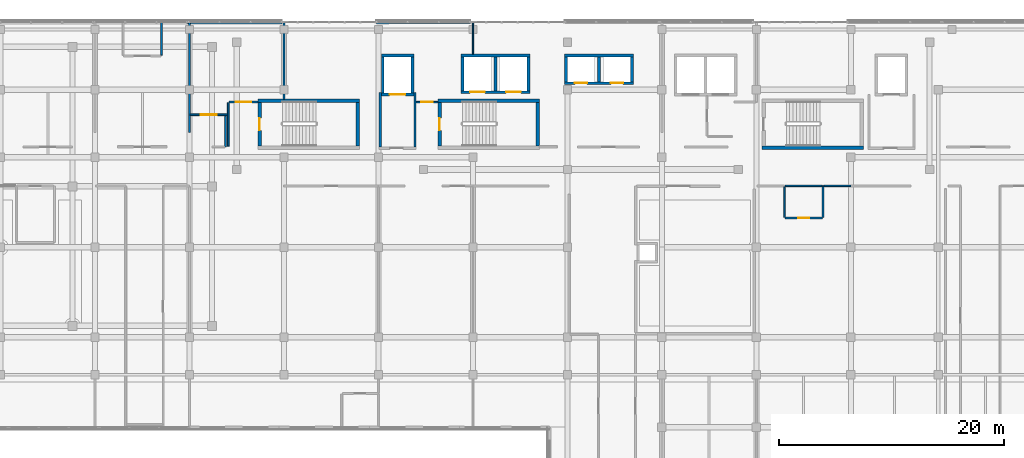
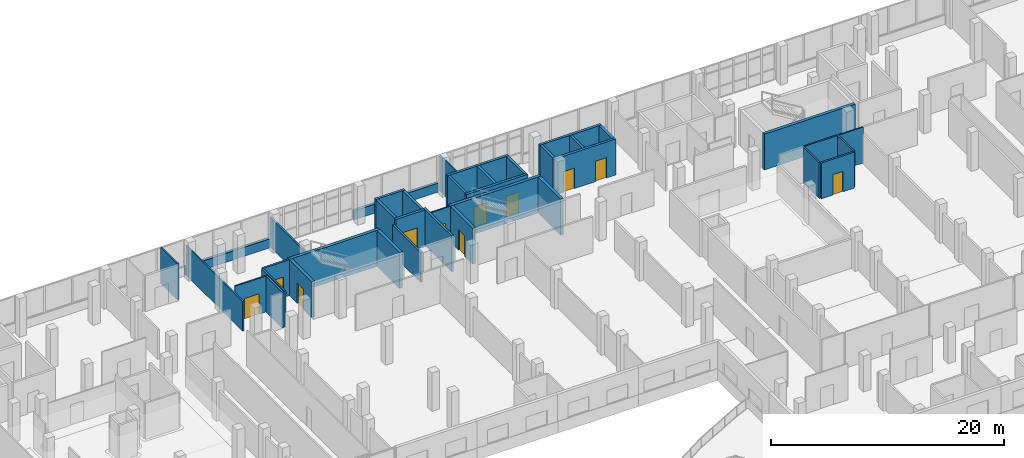
# One storey, part 88 of 101: 39 walls, 11 doors, 11 openings.
"""IFC4 building model written with IfcOpenShell, lengths in metres."""

from ifc_helpers import new_model, si_unit, direction, frame, frame_2d, origin, place, context, subcontext, project, spatial, rectangle, extrude, material, layer, layer_set, type_object, element, fill, save


model = new_model("IFC4")

# Units and contexts
model_context = context("Model", 3, precision=1e-05, world=origin(), true_north=direction((0.0, 1.0)))
body_context = subcontext(model_context, "Body", "Model", "MODEL_VIEW")
ifc_project = project(units=[si_unit("LENGTHUNIT", "METRE"), si_unit("AREAUNIT", "SQUARE_METRE"), si_unit("VOLUMEUNIT", "CUBIC_METRE"), si_unit("PLANEANGLEUNIT", "RADIAN"), si_unit("MASSUNIT", "GRAM", prefix="KILO")], contexts=[model_context])

# Site, building, storey
site_placement = place(None, origin())
site = spatial("IfcSite", under=ifc_project, at=site_placement, CompositionType="ELEMENT")
building_placement = place(site_placement, origin())
building = spatial("IfcBuilding", under=site, at=building_placement, Name="Selatvlak General Hospital", CompositionType="ELEMENT")
storey_placement = place(building_placement, frame((0.0, 0.0, 19.199951171875)))
storey = spatial("IfcBuildingStorey", under=building, at=storey_placement, Name="L04", CompositionType="ELEMENT", Elevation=19.199951171875)

# Walls
ifc_material_1 = material(Name="Precast concrete C40/50 - white Bauhaus spandrel", Category="concrete")
ifc_layer_1 = layer(ifc_material_1, 0.280029296875, Name="Precast concrete C40/50 - white Bauhaus spandrel", Category="concrete")
ifc_layer_set_1 = layer_set([ifc_layer_1], Name="Precast concrete C40/50 - white Bauhaus spandrel")
wall_type_1 = type_object("IfcWallType", Name="WALL-EW-02", PredefinedType="SOLIDWALL", material=ifc_layer_set_1)
wall_1_placement = place(storey_placement, frame((81.44189453125, 119.9990234375, 0.0), z_axis=(0.0, 0.0, 1.0), x_axis=(1.0, 0.0, 0.0)))
element("IfcWall", 1, at=wall_1_placement, inside=storey, type_object=wall_type_1, Name="L04 Bauhaus spandrel sill wall 0437", PredefinedType="SOLIDWALL", context=body_context, shape_type="SweptSolid", body=[
    extrude(rectangle(XDim=8.376220703125, YDim=0.280029296875, at=frame_2d((4.18798828125, 0.0))), origin(), (0.0, 0.0, 1.0), 0.93994140625),
])
wall_2_placement = place(storey_placement, frame((98.201904296875, 119.9990234375, 0.0), z_axis=(0.0, 0.0, 1.0), x_axis=(0.999999993202, 0.000116604477, 0.0)))
element("IfcWall", 2, at=wall_2_placement, inside=storey, type_object=wall_type_1, Name="L04 Bauhaus spandrel sill wall 0438", PredefinedType="SOLIDWALL", context=body_context, shape_type="SweptSolid", body=[
    extrude(rectangle(XDim=8.375, YDim=0.280029296875, at=frame_2d((4.1875, 0.0))), origin(), (0.0, 0.0, 1.0), 0.93994140625),
])
ifc_material_2 = material(Name="Concrete C40/50", Category="concrete")
ifc_layer_2 = layer(ifc_material_2, 0.199951171875, Name="Concrete C40/50", Category="concrete")
ifc_layer_set_2 = layer_set([ifc_layer_2], Name="Concrete C40/50")
wall_type_2 = type_object("IfcWallType", Name="WALL-IW-02", PredefinedType="SOLIDWALL", material=ifc_layer_set_2)
wall_3_placement = place(storey_placement, frame((101.64990234375, 108.89990234375, 0.0), z_axis=(0.0, 0.0, 1.0), x_axis=(0.0, 1.0, 0.0)))
element("IfcWall", 3, at=wall_3_placement, inside=storey, type_object=wall_type_2, Name="Firefighting lobby C2 wall L04 E", PredefinedType="SOLIDWALL", context=body_context, shape_type="SweptSolid", body=[
    extrude(rectangle(XDim=4.85009765625, YDim=0.199951171875, at=frame_2d((2.425048828125, 0.0))), origin(), (0.0, 0.0, 1.0), 3.77001953125),
])
wall_4_placement = place(storey_placement, frame((98.550048828125, 113.75, 0.0), z_axis=(0.0, 0.0, 1.0), x_axis=(0.0, -1.0, 0.0)))
element("IfcWall", 4, at=wall_4_placement, inside=storey, type_object=wall_type_2, Name="Firefighting lobby C2 wall L04 W", PredefinedType="SOLIDWALL", context=body_context, shape_type="SweptSolid", body=[
    extrude(rectangle(XDim=4.85009765625, YDim=0.199951171875, at=frame_2d((2.425048828125, 0.0))), origin(), (0.0, 0.0, 1.0), 3.1201171875),
])

# Wall, opening, door
ifc_material_3 = material(Name="Acoustic gypsum stud partition")
ifc_layer_3 = layer(ifc_material_3, 0.179931640625, Name="Acoustic gypsum stud partition")
ifc_layer_set_3 = layer_set([ifc_layer_3], Name="Acoustic gypsum stud partition")
wall_type_3 = type_object("IfcWallType", Name="WALL-PT-01", PredefinedType="PARTITIONING", material=ifc_layer_set_3)
wall_5_placement = place(storey_placement, frame((134.550048828125, 102.580078125, 0.0), z_axis=(0.0, 0.0, 1.0), x_axis=(1.0, 0.0, 0.0)))
wall_5 = element("IfcWall", 5, at=wall_5_placement, inside=storey, type_object=wall_type_3, Name="L04 clinical partition PT-L04-1752", PredefinedType="PARTITIONING", context=body_context, shape_type="SweptSolid", body=[
    extrude(rectangle(XDim=3.300048828125, YDim=0.179931640625, at=frame_2d((1.64990234375, 0.0))), origin(), (0.0, 0.0, 1.0), 3.77001953125),
])
opening_1_placement = place(wall_5_placement, frame((1.14990234375, 0.0, 0.0)))
opening_1 = element("IfcOpeningElement", 6, at=opening_1_placement, cuts=wall_5, Name="Opening D-21", PredefinedType="OPENING", context=body_context, shape_type="SweptSolid", body=[
    extrude(rectangle(XDim=1.0, YDim=2.14990234375, at=frame_2d((0.5, 1.074951171875))), frame((0.0, 0.099853515625, 0.0), z_axis=(0.0, -1.0, 0.0), x_axis=(1.0, 0.0, 0.0)), (0.0, 0.0, 1.0), 0.199951171875),
])
ifc_material_4 = material(Name="Laboratory fire door")
door_type_1 = type_object("IfcDoorType", Name="DOOR-D-21", OperationType="NOTDEFINED", PredefinedType="DOOR", material=ifc_material_4)
door_1_placement = place(opening_1_placement, origin())
door_1 = element("IfcDoor", 7, at=door_1_placement, inside=storey, type_object=door_type_1, Name="L04 Patient En-Suite WC 20 door", OperationType="SINGLE_SWING_LEFT", OverallHeight=2.14990234375, OverallWidth=1.0, PredefinedType="DOOR", context=body_context, shape_type="SweptSolid", body=[
    extrude(rectangle(XDim=1.0, YDim=2.14990234375, at=frame_2d((0.5, 1.074951171875))), frame((0.0, 0.02490234375, 0.0), z_axis=(0.0, -1.0, 0.0), x_axis=(1.0, 0.0, 0.0)), (0.0, 0.0, 1.0), 0.050048828125),
])
fill(opening_1, door_1)

wall_6_placement = place(storey_placement, frame((87.68994140625, 112.89990234375, 0.0), z_axis=(0.0, 0.0, 1.0), x_axis=(-1.0, 0.0, 0.0)))
wall_6 = element("IfcWall", 8, at=wall_6_placement, inside=storey, type_object=wall_type_3, Name="L04 clinical partition PT-L04-1806", PredefinedType="PARTITIONING", context=body_context, shape_type="SweptSolid", body=[
    extrude(rectangle(XDim=2.58984375, YDim=0.179931640625, at=frame_2d((1.294921875, 0.0))), origin(), (0.0, 0.0, 1.0), 3.77001953125),
])
opening_2_placement = place(wall_6_placement, frame((0.594970703125, 0.0, 0.0)))
opening_2 = element("IfcOpeningElement", 9, at=opening_2_placement, cuts=wall_6, Name="Opening D-11", PredefinedType="OPENING", context=body_context, shape_type="SweptSolid", body=[
    extrude(rectangle(XDim=1.39990234375, YDim=2.14990234375, at=frame_2d((0.699951171875, 1.074951171875))), frame((0.0, 0.099853515625, 0.0), z_axis=(0.0, -1.0, 0.0), x_axis=(1.0, 0.0, 0.0)), (0.0, 0.0, 1.0), 0.199951171875),
])
ifc_material_5 = material(Name="Inpatient suite bed door")
door_type_2 = type_object("IfcDoorType", Name="DOOR-D-11", OperationType="NOTDEFINED", PredefinedType="DOOR", material=ifc_material_5)
door_2_placement = place(opening_2_placement, origin())
door_2 = element("IfcDoor", 10, at=door_2_placement, inside=storey, type_object=door_type_2, Name="L04 Maternity Postnatal Patient Room 33 door", OperationType="SINGLE_SWING_LEFT", OverallHeight=2.14990234375, OverallWidth=1.39990234375, PredefinedType="DOOR", context=body_context, shape_type="SweptSolid", body=[
    extrude(rectangle(XDim=1.39990234375, YDim=2.14990234375, at=frame_2d((0.699951171875, 1.074951171875))), frame((0.0, 0.02490234375, 0.0), z_axis=(0.0, -1.0, 0.0), x_axis=(1.0, 0.0, 0.0)), (0.0, 0.0, 1.0), 0.050048828125),
])
fill(opening_2, door_2)

# Walls
wall_7_placement = place(storey_placement, frame((90.0, 119.988037109375, 0.0), z_axis=(0.0, 0.0, 1.0), x_axis=(0.0, -1.0, 0.0)))
element("IfcWall", 11, at=wall_7_placement, inside=storey, type_object=wall_type_3, Name="L04 clinical partition PT-L04-1809", PredefinedType="PARTITIONING", context=body_context, shape_type="SweptSolid", body=[
    extrude(rectangle(XDim=6.841064453125, YDim=0.179931640625, at=frame_2d((3.42041015625, 0.0))), origin(), (0.0, 0.0, 1.0), 3.1201171875),
])
ifc_layer_4 = layer(ifc_material_3, 0.1650390625, Name="Acoustic gypsum stud partition")
ifc_layer_set_4 = layer_set([ifc_layer_4], Name="Acoustic gypsum stud partition")
wall_type_4 = type_object("IfcWallType", Name="WALL-PT-02", PredefinedType="PARTITIONING", material=ifc_layer_set_4)
wall_8_placement = place(storey_placement, frame((137.909912109375, 102.639892578125, 0.0), z_axis=(0.0, 0.0, 1.0), x_axis=(0.0, 1.0, 0.0)))
element("IfcWall", 12, at=wall_8_placement, inside=storey, type_object=wall_type_4, Name="L04 clinical partition PT-L04-1753", PredefinedType="PARTITIONING", context=body_context, shape_type="SweptSolid", body=[
    extrude(rectangle(XDim=2.800048828125, YDim=0.1650390625, at=frame_2d((1.39990234375, 0.0))), origin(), (0.0, 0.0, 1.0), 3.77001953125),
])
wall_9_placement = place(storey_placement, frame((79.110107421875, 117.06005859375, 0.0), z_axis=(0.0, 0.0, 1.0), x_axis=(0.0, 1.0, 0.0)))
element("IfcWall", 13, at=wall_9_placement, inside=storey, type_object=wall_type_4, Name="L04 clinical partition PT-L04-1804", PredefinedType="PARTITIONING", context=body_context, shape_type="SweptSolid", body=[
    extrude(rectangle(XDim=2.89697265625, YDim=0.1650390625, at=frame_2d((1.448486328125, 0.0))), origin(), (0.0, 0.0, 1.0), 3.77001953125),
])
wall_10_placement = place(storey_placement, frame((85.0400390625, 112.840087890625, 0.0), z_axis=(0.0, 0.0, 1.0), x_axis=(0.0, -1.0, 0.0)))
element("IfcWall", 14, at=wall_10_placement, inside=storey, type_object=wall_type_4, Name="L04 clinical partition PT-L04-1807", PredefinedType="PARTITIONING", context=body_context, shape_type="SweptSolid", body=[
    extrude(rectangle(XDim=3.8671875, YDim=0.1650390625, at=frame_2d((1.93359375, 0.0))), origin(), (0.0, 0.0, 1.0), 3.77001953125),
])
wall_11_placement = place(storey_placement, frame((84.800048828125, 111.7060546875, 0.0), z_axis=(0.0, 0.0, 1.0), x_axis=(0.0, -1.0, 0.0)))
element("IfcWall", 15, at=wall_11_placement, inside=storey, type_object=wall_type_4, Name="L04 clinical partition PT-L04-1810", PredefinedType="PARTITIONING", context=body_context, shape_type="SweptSolid", body=[
    extrude(rectangle(XDim=2.796142578125, YDim=0.1650390625, at=frame_2d((1.39794921875, 0.0))), origin(), (0.0, 0.0, 1.0), 3.77001953125),
])
ifc_material_6 = material(Name="Moisture-resistant clinical partition")
ifc_layer_5 = layer(ifc_material_6, 0.135009765625, Name="Moisture-resistant clinical partition")
ifc_layer_set_5 = layer_set([ifc_layer_5], Name="Moisture-resistant clinical partition")
wall_type_5 = type_object("IfcWallType", Name="WALL-PT-04", PredefinedType="PARTITIONING", material=ifc_layer_set_5)
wall_12_placement = place(storey_placement, frame((134.489990234375, 105.361083984375, 0.0), z_axis=(0.0, 0.0, 1.0), x_axis=(0.0, -1.0, 0.0)))
element("IfcWall", 16, at=wall_12_placement, inside=storey, type_object=wall_type_5, Name="L04 clinical partition PT-L04-1751", PredefinedType="PARTITIONING", context=body_context, shape_type="SweptSolid", body=[
    extrude(rectangle(XDim=2.72119140625, YDim=0.135009765625, at=frame_2d((1.360595703125, 0.0))), origin(), (0.0, 0.0, 1.0), 3.77001953125),
])
wall_13_placement = place(storey_placement, frame((137.988037109375, 105.43994140625, 0.0), z_axis=(0.0, 0.0, 1.0), x_axis=(1.0, 0.0, 0.0)))
element("IfcWall", 17, at=wall_13_placement, inside=storey, type_object=wall_type_5, Name="L04 clinical partition PT-L04-1754", PredefinedType="PARTITIONING", context=body_context, shape_type="SweptSolid", body=[
    extrude(rectangle(XDim=2.411865234375, YDim=0.135009765625, at=frame_2d((1.2060546875, 0.0))), origin(), (0.0, 0.0, 1.0), 3.77001953125),
])
wall_14_placement = place(storey_placement, frame((134.550048828125, 105.43994140625, 0.0), z_axis=(0.0, 0.0, 1.0), x_axis=(1.0, 0.0, 0.0)))
element("IfcWall", 18, at=wall_14_placement, inside=storey, type_object=wall_type_5, Name="L04 clinical partition PT-L04-1757", PredefinedType="PARTITIONING", context=body_context, shape_type="SweptSolid", body=[
    extrude(rectangle(XDim=3.281982421875, YDim=0.135009765625, at=frame_2d((1.64111328125, 0.0))), origin(), (0.0, 0.0, 1.0), 3.77001953125),
])
wall_15_placement = place(storey_placement, frame((81.60009765625, 119.95703125, 0.0), z_axis=(0.0, 0.0, 1.0), x_axis=(0.0, -1.0, 0.0)))
element("IfcWall", 19, at=wall_15_placement, inside=storey, type_object=wall_type_5, Name="L04 clinical partition PT-L04-1805", PredefinedType="PARTITIONING", context=body_context, shape_type="SweptSolid", body=[
    extrude(rectangle(XDim=9.7470703125, YDim=0.135009765625, at=frame_2d((4.87353515625, 0.0))), origin(), (0.0, 0.0, 1.0), 3.1201171875),
])

# Wall, opening, door
wall_16_placement = place(storey_placement, frame((84.9619140625, 111.77001953125, 0.0), z_axis=(0.0, 0.0, 1.0), x_axis=(-1.0, 0.0, 0.0)))
wall_16 = element("IfcWall", 20, at=wall_16_placement, inside=storey, type_object=wall_type_5, Name="L04 clinical partition PT-L04-1808", PredefinedType="PARTITIONING", context=body_context, shape_type="SweptSolid", body=[
    extrude(rectangle(XDim=3.298828125, YDim=0.135009765625, at=frame_2d((1.6494140625, 0.0))), origin(), (0.0, 0.0, 1.0), 3.77001953125),
])
opening_3_placement = place(wall_16_placement, frame((0.925048828125, 0.0, 0.0)))
opening_3 = element("IfcOpeningElement", 21, at=opening_3_placement, cuts=wall_16, Name="Opening D-12", PredefinedType="OPENING", context=body_context, shape_type="SweptSolid", body=[
    extrude(rectangle(XDim=1.449951171875, YDim=2.14990234375, at=frame_2d((0.72509765625, 1.074951171875))), frame((0.0, 0.077392578125, 0.0), z_axis=(0.0, -1.0, 0.0), x_axis=(1.0, 0.0, 0.0)), (0.0, 0.0, 1.0), 0.155029296875),
])
ifc_material_7 = material(Name="Isolation anteroom door")
door_type_3 = type_object("IfcDoorType", Name="DOOR-D-12", OperationType="NOTDEFINED", PredefinedType="DOOR", material=ifc_material_7)
door_3_placement = place(opening_3_placement, origin())
door_3 = element("IfcDoor", 22, at=door_3_placement, inside=storey, type_object=door_type_3, Name="L04 Patient En-Suite WC 33 door", OperationType="SINGLE_SWING_RIGHT", OverallHeight=2.14990234375, OverallWidth=1.449951171875, PredefinedType="DOOR", context=body_context, shape_type="SweptSolid", body=[
    extrude(rectangle(XDim=1.449951171875, YDim=2.14990234375, at=frame_2d((0.72509765625, 1.074951171875))), frame((0.0, 0.02490234375, 0.0), z_axis=(0.0, -1.0, 0.0), x_axis=(1.0, 0.0, 0.0)), (0.0, 0.0, 1.0), 0.050048828125),
])
fill(opening_3, door_3)

wall_17_placement = place(storey_placement, frame((103.68994140625, 112.89990234375, 0.0), z_axis=(0.0, 0.0, 1.0), x_axis=(-1.0, 0.0, 0.0)))
wall_17 = element("IfcWall", 23, at=wall_17_placement, inside=storey, type_object=wall_type_5, Name="L04 clinical partition PT-L04-1813", PredefinedType="PARTITIONING", context=body_context, shape_type="SweptSolid", body=[
    extrude(rectangle(XDim=1.94287109375, YDim=0.135009765625, at=frame_2d((0.971435546875, 0.0))), origin(), (0.0, 0.0, 1.0), 3.77001953125),
])
opening_4_placement = place(wall_17_placement, frame((0.470947265625, 0.0, 0.0)))
opening_4 = element("IfcOpeningElement", 24, at=opening_4_placement, cuts=wall_17, Name="Opening D-21", PredefinedType="OPENING", context=body_context, shape_type="SweptSolid", body=[
    extrude(rectangle(XDim=1.0, YDim=2.14990234375, at=frame_2d((0.5, 1.074951171875))), frame((0.0, 0.077392578125, 0.0), z_axis=(0.0, -1.0, 0.0), x_axis=(1.0, 0.0, 0.0)), (0.0, 0.0, 1.0), 0.155029296875),
])
door_4_placement = place(opening_4_placement, origin())
door_4 = element("IfcDoor", 25, at=door_4_placement, inside=storey, type_object=door_type_1, Name="L04 Lactation Consultation Clinic 35 door", OperationType="SINGLE_SWING_LEFT", OverallHeight=2.14990234375, OverallWidth=1.0, PredefinedType="DOOR", context=body_context, shape_type="SweptSolid", body=[
    extrude(rectangle(XDim=1.0, YDim=2.14990234375, at=frame_2d((0.5, 1.074951171875))), frame((0.0, 0.02490234375, 0.0), z_axis=(0.0, -1.0, 0.0), x_axis=(1.0, 0.0, 0.0)), (0.0, 0.0, 1.0), 0.050048828125),
])
fill(opening_4, door_4)

# Walls
ifc_layer_6 = layer(ifc_material_6, 0.1201171875, Name="Moisture-resistant clinical partition")
ifc_layer_set_6 = layer_set([ifc_layer_6], Name="Moisture-resistant clinical partition")
wall_type_6 = type_object("IfcWallType", Name="WALL-PT-05", PredefinedType="PARTITIONING", material=ifc_layer_set_6)
wall_18_placement = place(storey_placement, frame((106.800048828125, 119.989013671875, 0.0), z_axis=(0.0, 0.0, 1.0), x_axis=(0.0, -1.0, 0.0)))
element("IfcWall", 26, at=wall_18_placement, inside=storey, type_object=wall_type_6, Name="L04 clinical partition PT-L04-1814", PredefinedType="PARTITIONING", context=body_context, shape_type="SweptSolid", body=[
    extrude(rectangle(XDim=2.842041015625, YDim=0.1201171875, at=frame_2d((1.4208984375, 0.0))), origin(), (0.0, 0.0, 1.0), 3.77001953125),
])
ifc_material_8 = material(Name="Concrete C45/55", Category="concrete")
ifc_layer_7 = layer(ifc_material_8, 0.300048828125, Name="Concrete C45/55", Category="concrete")
ifc_layer_set_7 = layer_set([ifc_layer_7], Name="Concrete C45/55")
wall_type_7 = type_object("IfcWallType", Name="WALL-SW-02", PredefinedType="SHEAR", material=ifc_layer_set_7)
wall_19_placement = place(storey_placement, frame((96.56005859375, 108.989990234375, 0.0), z_axis=(0.0, 0.0, 1.0), x_axis=(0.0, 1.0, 0.0)))
element("IfcWall", 27, at=wall_19_placement, inside=storey, type_object=wall_type_7, Name="ST-02 core shear wall L04 E", PredefinedType="SHEAR", context=body_context, shape_type="SweptSolid", body=[
    extrude(rectangle(XDim=3.860107421875, YDim=0.300048828125, at=frame_2d((1.93017578125, 0.0))), origin(), (0.0, 0.0, 1.0), 3.77001953125),
])
wall_20_placement = place(storey_placement, frame((96.7099609375, 113.0, 0.0), z_axis=(0.0, 0.0, 1.0), x_axis=(-1.0, 0.0, 0.0)))
element("IfcWall", 28, at=wall_20_placement, inside=storey, type_object=wall_type_7, Name="ST-02 core shear wall L04 N", PredefinedType="SHEAR", context=body_context, shape_type="SweptSolid", body=[
    extrude(rectangle(XDim=9.02001953125, YDim=0.300048828125, at=frame_2d((4.510009765625, 0.0))), origin(), (0.0, 0.0, 1.0), 3.77001953125),
])

# Wall, opening, door
wall_21_placement = place(storey_placement, frame((87.840087890625, 112.85009765625, 0.0), z_axis=(0.0, 0.0, 1.0), x_axis=(0.0, -1.0, 0.0)))
wall_21 = element("IfcWall", 29, at=wall_21_placement, inside=storey, type_object=wall_type_7, Name="ST-02 core shear wall L04 W", PredefinedType="SHEAR", context=body_context, shape_type="SweptSolid", body=[
    extrude(rectangle(XDim=3.860107421875, YDim=0.300048828125, at=frame_2d((1.93017578125, 0.0))), origin(), (0.0, 0.0, 1.0), 3.77001953125),
])
opening_5_placement = place(wall_21_placement, frame((1.3798828125, 0.0, 0.0)))
opening_5 = element("IfcOpeningElement", 30, at=opening_5_placement, cuts=wall_21, Name="Opening D-05", PredefinedType="OPENING", context=body_context, shape_type="SweptSolid", body=[
    extrude(rectangle(XDim=1.10009765625, YDim=2.14990234375, at=frame_2d((0.550048828125, 1.074951171875))), frame((0.0, 0.159912109375, 0.0), z_axis=(0.0, -1.0, 0.0), x_axis=(1.0, 0.0, 0.0)), (0.0, 0.0, 1.0), 0.320068359375),
])
ifc_material_9 = material(Name="Protected stair fire door")
door_type_4 = type_object("IfcDoorType", Name="DOOR-D-05", OperationType="NOTDEFINED", PredefinedType="DOOR", material=ifc_material_9)
door_5_placement = place(opening_5_placement, origin())
door_5 = element("IfcDoor", 31, at=door_5_placement, inside=storey, type_object=door_type_4, Name="ST-02 protected stair door on L04", OperationType="SINGLE_SWING_LEFT", OverallHeight=2.14990234375, OverallWidth=1.10009765625, PredefinedType="DOOR", context=body_context, shape_type="SweptSolid", body=[
    extrude(rectangle(XDim=1.10009765625, YDim=2.14990234375, at=frame_2d((0.550048828125, 1.074951171875))), frame((0.0, 0.02490234375, 0.0), z_axis=(0.0, -1.0, 0.0), x_axis=(1.0, 0.0, 0.0)), (0.0, 0.0, 1.0), 0.050048828125),
])
fill(opening_5, door_5)

# Walls
wall_22_placement = place(storey_placement, frame((112.56005859375, 108.989990234375, 0.0), z_axis=(0.0, 0.0, 1.0), x_axis=(0.0, 1.0, 0.0)))
element("IfcWall", 32, at=wall_22_placement, inside=storey, type_object=wall_type_7, Name="ST-03 core shear wall L04 E", PredefinedType="SHEAR", context=body_context, shape_type="SweptSolid", body=[
    extrude(rectangle(XDim=3.860107421875, YDim=0.300048828125, at=frame_2d((1.93017578125, 0.0))), origin(), (0.0, 0.0, 1.0), 3.77001953125),
])
wall_23_placement = place(storey_placement, frame((112.7099609375, 113.0, 0.0), z_axis=(0.0, 0.0, 1.0), x_axis=(-1.0, 0.0, 0.0)))
element("IfcWall", 33, at=wall_23_placement, inside=storey, type_object=wall_type_7, Name="ST-03 core shear wall L04 N", PredefinedType="SHEAR", context=body_context, shape_type="SweptSolid", body=[
    extrude(rectangle(XDim=9.02001953125, YDim=0.300048828125, at=frame_2d((4.510009765625, 0.0))), origin(), (0.0, 0.0, 1.0), 3.77001953125),
])

# Wall, opening, door
wall_24_placement = place(storey_placement, frame((103.840087890625, 112.85009765625, 0.0), z_axis=(0.0, 0.0, 1.0), x_axis=(0.0, -1.0, 0.0)))
wall_24 = element("IfcWall", 34, at=wall_24_placement, inside=storey, type_object=wall_type_7, Name="ST-03 core shear wall L04 W", PredefinedType="SHEAR", context=body_context, shape_type="SweptSolid", body=[
    extrude(rectangle(XDim=3.860107421875, YDim=0.300048828125, at=frame_2d((1.93017578125, 0.0))), origin(), (0.0, 0.0, 1.0), 3.77001953125),
])
opening_6_placement = place(wall_24_placement, frame((1.3798828125, 0.0, 0.0)))
opening_6 = element("IfcOpeningElement", 35, at=opening_6_placement, cuts=wall_24, Name="Opening D-05", PredefinedType="OPENING", context=body_context, shape_type="SweptSolid", body=[
    extrude(rectangle(XDim=1.10009765625, YDim=2.14990234375, at=frame_2d((0.550048828125, 1.074951171875))), frame((0.0, 0.159912109375, 0.0), z_axis=(0.0, -1.0, 0.0), x_axis=(1.0, 0.0, 0.0)), (0.0, 0.0, 1.0), 0.320068359375),
])
door_6_placement = place(opening_6_placement, origin())
door_6 = element("IfcDoor", 36, at=door_6_placement, inside=storey, type_object=door_type_4, Name="ST-03 protected stair door on L04", OperationType="SINGLE_SWING_RIGHT", OverallHeight=2.14990234375, OverallWidth=1.10009765625, PredefinedType="DOOR", context=body_context, shape_type="SweptSolid", body=[
    extrude(rectangle(XDim=1.10009765625, YDim=2.14990234375, at=frame_2d((0.550048828125, 1.074951171875))), frame((0.0, 0.02490234375, 0.0), z_axis=(0.0, -1.0, 0.0), x_axis=(1.0, 0.0, 0.0)), (0.0, 0.0, 1.0), 0.050048828125),
])
fill(opening_6, door_6)

# Wall
wall_25_placement = place(storey_placement, frame((132.489990234375, 108.840087890625, 0.0), z_axis=(0.0, 0.0, 1.0), x_axis=(1.0, 0.0, 0.0)))
element("IfcWall", 37, at=wall_25_placement, inside=storey, type_object=wall_type_7, Name="ST-04 core shear wall L04 S", PredefinedType="SHEAR", context=body_context, shape_type="SweptSolid", body=[
    extrude(rectangle(XDim=9.02001953125, YDim=0.300048828125, at=frame_2d((4.510009765625, 0.0))), origin(), (0.0, 0.0, 1.0), 3.77001953125),
])

# Wall, opening, door
ifc_layer_8 = layer(ifc_material_2, 0.25, Name="Concrete C40/50", Category="concrete")
ifc_layer_set_8 = layer_set([ifc_layer_8], Name="Concrete C40/50")
wall_type_8 = type_object("IfcWallType", Name="WALL-SW-03", PredefinedType="SHEAR", material=ifc_layer_set_8)
wall_26_placement = place(storey_placement, frame((98.64990234375, 113.574951171875, 0.0), z_axis=(0.0, 0.0, 1.0), x_axis=(1.0, 0.0, 0.0)))
wall_26 = element("IfcWall", 38, at=wall_26_placement, inside=storey, type_object=wall_type_8, Name="Lift LF-02 shaft wall L04 S", PredefinedType="SHEAR", context=body_context, shape_type="SweptSolid", body=[
    extrude(rectangle(XDim=2.900146484375, YDim=0.25, at=frame_2d((1.4501953125, 0.0))), origin(), (0.0, 0.0, 1.0), 3.77001953125),
])
opening_7_placement = place(wall_26_placement, frame((0.75, 0.0, 0.0)))
opening_7 = element("IfcOpeningElement", 39, at=opening_7_placement, cuts=wall_26, Name="Opening LD-F1", PredefinedType="OPENING", context=body_context, shape_type="SweptSolid", body=[
    extrude(rectangle(XDim=1.39990234375, YDim=2.14990234375, at=frame_2d((0.699951171875, 1.074951171875))), frame((0.0, 0.135009765625, 0.0), z_axis=(0.0, -1.0, 0.0), x_axis=(1.0, 0.0, 0.0)), (0.0, 0.0, 1.0), 0.27001953125),
])
ifc_material_10 = material(Name="Stainless steel fire lift landing door", Category="steel")
door_type_5 = type_object("IfcDoorType", Name="DOOR-LD-F1", OperationType="DOUBLE_DOOR_SLIDING", PredefinedType="DOOR", material=ifc_material_10)
door_7_placement = place(opening_7_placement, origin())
door_7 = element("IfcDoor", 40, at=door_7_placement, inside=storey, type_object=door_type_5, Name="Lift LF-02 sliding landing door on L04", OperationType="DOUBLE_DOOR_SLIDING", OverallHeight=2.14990234375, OverallWidth=1.39990234375, PredefinedType="DOOR", context=body_context, shape_type="SweptSolid", body=[
    extrude(rectangle(XDim=1.39990234375, YDim=2.14990234375, at=frame_2d((0.699951171875, 1.074951171875))), frame((0.0, 0.02490234375, 0.0), z_axis=(0.0, -1.0, 0.0), x_axis=(1.0, 0.0, 0.0)), (0.0, 0.0, 1.0), 0.050048828125),
])
fill(opening_7, door_7)

# Walls
wall_27_placement = place(storey_placement, frame((101.425048828125, 113.699951171875, 0.0), z_axis=(0.0, 0.0, 1.0), x_axis=(0.0, 1.0, 0.0)))
element("IfcWall", 41, at=wall_27_placement, inside=storey, type_object=wall_type_8, Name="Lift LF-02 shaft wall L04 E", PredefinedType="SHEAR", context=body_context, shape_type="SweptSolid", body=[
    extrude(rectangle(XDim=3.199951171875, YDim=0.25, at=frame_2d((1.60009765625, 0.0))), origin(), (0.0, 0.0, 1.0), 3.77001953125),
])
wall_28_placement = place(storey_placement, frame((101.550048828125, 117.02490234375, 0.0), z_axis=(0.0, 0.0, 1.0), x_axis=(-1.0, 0.0, 0.0)))
element("IfcWall", 42, at=wall_28_placement, inside=storey, type_object=wall_type_8, Name="Lift LF-02 shaft wall L04 N", PredefinedType="SHEAR", context=body_context, shape_type="SweptSolid", body=[
    extrude(rectangle(XDim=2.900146484375, YDim=0.25, at=frame_2d((1.4501953125, 0.0))), origin(), (0.0, 0.0, 1.0), 3.77001953125),
])
wall_29_placement = place(storey_placement, frame((98.77490234375, 116.89990234375, 0.0), z_axis=(0.0, 0.0, 1.0), x_axis=(0.0, -1.0, 0.0)))
element("IfcWall", 43, at=wall_29_placement, inside=storey, type_object=wall_type_8, Name="Lift LF-02 shaft wall L04 W", PredefinedType="SHEAR", context=body_context, shape_type="SweptSolid", body=[
    extrude(rectangle(XDim=3.199951171875, YDim=0.25, at=frame_2d((1.60009765625, 0.0))), origin(), (0.0, 0.0, 1.0), 3.77001953125),
])

# Wall, openings, doors
wall_30_placement = place(storey_placement, frame((105.75, 113.77490234375, 0.0), z_axis=(0.0, 0.0, 1.0), x_axis=(1.0, 0.0, 0.0)))
wall_30 = element("IfcWall", 44, at=wall_30_placement, inside=storey, type_object=wall_type_8, Name="Lift LS-01-LS-02 shaft wall L04 S", PredefinedType="SHEAR", context=body_context, shape_type="SweptSolid", body=[
    extrude(rectangle(XDim=6.10009765625, YDim=0.25, at=frame_2d((3.050048828125, 0.0))), origin(), (0.0, 0.0, 1.0), 3.77001953125),
])
opening_8_placement = place(wall_30_placement, frame((0.800048828125, 0.0, 0.0)))
opening_8 = element("IfcOpeningElement", 45, at=opening_8_placement, cuts=wall_30, Name="Opening LD-S1", PredefinedType="OPENING", context=body_context, shape_type="SweptSolid", body=[
    extrude(rectangle(XDim=1.300048828125, YDim=2.14990234375, at=frame_2d((0.64990234375, 1.074951171875))), frame((0.0, 0.135009765625, 0.0), z_axis=(0.0, -1.0, 0.0), x_axis=(1.0, 0.0, 0.0)), (0.0, 0.0, 1.0), 0.27001953125),
])
opening_9_placement = place(wall_30_placement, frame((4.0, 0.0, 0.0)))
opening_9 = element("IfcOpeningElement", 46, at=opening_9_placement, cuts=wall_30, Name="Opening LD-S1", PredefinedType="OPENING", context=body_context, shape_type="SweptSolid", body=[
    extrude(rectangle(XDim=1.300048828125, YDim=2.14990234375, at=frame_2d((0.64990234375, 1.074951171875))), frame((0.0, 0.135009765625, 0.0), z_axis=(0.0, -1.0, 0.0), x_axis=(1.0, 0.0, 0.0)), (0.0, 0.0, 1.0), 0.27001953125),
])
ifc_material_11 = material(Name="Stainless steel goods lift landing door", Category="steel")
door_type_6 = type_object("IfcDoorType", Name="DOOR-LD-S1", OperationType="DOUBLE_DOOR_SLIDING", PredefinedType="DOOR", material=ifc_material_11)
door_8_placement = place(opening_8_placement, origin())
door_8 = element("IfcDoor", 47, at=door_8_placement, inside=storey, type_object=door_type_6, Name="Lift LS-01 sliding landing door on L04", OperationType="DOUBLE_DOOR_SLIDING", OverallHeight=2.14990234375, OverallWidth=1.300048828125, PredefinedType="DOOR", context=body_context, shape_type="SweptSolid", body=[
    extrude(rectangle(XDim=1.300048828125, YDim=2.14990234375, at=frame_2d((0.64990234375, 1.074951171875))), frame((0.0, 0.02490234375, 0.0), z_axis=(0.0, -1.0, 0.0), x_axis=(1.0, 0.0, 0.0)), (0.0, 0.0, 1.0), 0.050048828125),
])
fill(opening_8, door_8)
door_9_placement = place(opening_9_placement, origin())
door_9 = element("IfcDoor", 48, at=door_9_placement, inside=storey, type_object=door_type_6, Name="Lift LS-02 sliding landing door on L04", OperationType="DOUBLE_DOOR_SLIDING", OverallHeight=2.14990234375, OverallWidth=1.300048828125, PredefinedType="DOOR", context=body_context, shape_type="SweptSolid", body=[
    extrude(rectangle(XDim=1.300048828125, YDim=2.14990234375, at=frame_2d((0.64990234375, 1.074951171875))), frame((0.0, 0.02490234375, 0.0), z_axis=(0.0, -1.0, 0.0), x_axis=(1.0, 0.0, 0.0)), (0.0, 0.0, 1.0), 0.050048828125),
])
fill(opening_9, door_9)

# Walls
wall_31_placement = place(storey_placement, frame((111.72509765625, 113.89990234375, 0.0), z_axis=(0.0, 0.0, 1.0), x_axis=(0.0, 1.0, 0.0)))
element("IfcWall", 49, at=wall_31_placement, inside=storey, type_object=wall_type_8, Name="Lift LS-01-LS-02 shaft wall L04 E", PredefinedType="SHEAR", context=body_context, shape_type="SweptSolid", body=[
    extrude(rectangle(XDim=3.0, YDim=0.25, at=frame_2d((1.5, 0.0))), origin(), (0.0, 0.0, 1.0), 3.77001953125),
])
wall_32_placement = place(storey_placement, frame((111.85009765625, 117.02490234375, 0.0), z_axis=(0.0, 0.0, 1.0), x_axis=(-1.0, 0.0, 0.0)))
element("IfcWall", 50, at=wall_32_placement, inside=storey, type_object=wall_type_8, Name="Lift LS-01-LS-02 shaft wall L04 N", PredefinedType="SHEAR", context=body_context, shape_type="SweptSolid", body=[
    extrude(rectangle(XDim=6.10009765625, YDim=0.25, at=frame_2d((3.050048828125, 0.0))), origin(), (0.0, 0.0, 1.0), 3.77001953125),
])
for number, where, z_axis, x_axis, name in (
    (51, (105.875, 116.89990234375, 0.0), (0.0, 0.0, 1.0), (0.0, -1.0, 0.0), "Lift LS-01-LS-02 shaft wall L04 W"),
    (52, (108.800048828125, 113.89990234375, 0.0), (0.0, 0.0, 1.0), (0.0, 1.0, 0.0), "Lift LS-01-LS-02 dividing shaft wall L04"),
):
    element("IfcWall", number, at=place(storey_placement, frame(where, z_axis=z_axis, x_axis=x_axis)), inside=storey, type_object=wall_type_8, Name=name, PredefinedType="SHEAR", context=body_context, shape_type="SweptSolid", body=[
        extrude(rectangle(XDim=3.0, YDim=0.25, at=frame_2d((1.5, 0.0))), origin(), (0.0, 0.0, 1.0), 3.77001953125),
    ])

# Wall, openings, doors
wall_33_placement = place(storey_placement, frame((114.949951171875, 114.574951171875, 0.0), z_axis=(0.0, 0.0, 1.0), x_axis=(1.0, 0.0, 0.0)))
wall_33 = element("IfcWall", 53, at=wall_33_placement, inside=storey, type_object=wall_type_8, Name="Lift LP-05-LP-06 shaft wall L04 S", PredefinedType="SHEAR", context=body_context, shape_type="SweptSolid", body=[
    extrude(rectangle(XDim=6.10009765625, YDim=0.25, at=frame_2d((3.050048828125, 0.0))), origin(), (0.0, 0.0, 1.0), 3.77001953125),
])
opening_10_placement = place(wall_33_placement, frame((0.89990234375, 0.0, 0.0)))
opening_10 = element("IfcOpeningElement", 54, at=opening_10_placement, cuts=wall_33, Name="Opening LD-P1", PredefinedType="OPENING", context=body_context, shape_type="SweptSolid", body=[
    extrude(rectangle(XDim=1.10009765625, YDim=2.14990234375, at=frame_2d((0.550048828125, 1.074951171875))), frame((0.0, 0.135009765625, 0.0), z_axis=(0.0, -1.0, 0.0), x_axis=(1.0, 0.0, 0.0)), (0.0, 0.0, 1.0), 0.27001953125),
])
opening_11_placement = place(wall_33_placement, frame((4.10009765625, 0.0, 0.0)))
opening_11 = element("IfcOpeningElement", 55, at=opening_11_placement, cuts=wall_33, Name="Opening LD-P1", PredefinedType="OPENING", context=body_context, shape_type="SweptSolid", body=[
    extrude(rectangle(XDim=1.10009765625, YDim=2.14990234375, at=frame_2d((0.550048828125, 1.074951171875))), frame((0.0, 0.135009765625, 0.0), z_axis=(0.0, -1.0, 0.0), x_axis=(1.0, 0.0, 0.0)), (0.0, 0.0, 1.0), 0.27001953125),
])
ifc_material_12 = material(Name="Stainless steel passenger lift landing door", Category="steel")
door_type_7 = type_object("IfcDoorType", Name="DOOR-LD-P1", OperationType="DOUBLE_DOOR_SLIDING", PredefinedType="DOOR", material=ifc_material_12)
door_10_placement = place(opening_10_placement, origin())
door_10 = element("IfcDoor", 56, at=door_10_placement, inside=storey, type_object=door_type_7, Name="Lift LP-05 sliding landing door on L04", OperationType="DOUBLE_DOOR_SLIDING", OverallHeight=2.14990234375, OverallWidth=1.10009765625, PredefinedType="DOOR", context=body_context, shape_type="SweptSolid", body=[
    extrude(rectangle(XDim=1.10009765625, YDim=2.14990234375, at=frame_2d((0.550048828125, 1.074951171875))), frame((0.0, 0.02490234375, 0.0), z_axis=(0.0, -1.0, 0.0), x_axis=(1.0, 0.0, 0.0)), (0.0, 0.0, 1.0), 0.050048828125),
])
fill(opening_10, door_10)
door_11_placement = place(opening_11_placement, origin())
door_11 = element("IfcDoor", 57, at=door_11_placement, inside=storey, type_object=door_type_7, Name="Lift LP-06 sliding landing door on L04", OperationType="DOUBLE_DOOR_SLIDING", OverallHeight=2.14990234375, OverallWidth=1.10009765625, PredefinedType="DOOR", context=body_context, shape_type="SweptSolid", body=[
    extrude(rectangle(XDim=1.10009765625, YDim=2.14990234375, at=frame_2d((0.550048828125, 1.074951171875))), frame((0.0, 0.02490234375, 0.0), z_axis=(0.0, -1.0, 0.0), x_axis=(1.0, 0.0, 0.0)), (0.0, 0.0, 1.0), 0.050048828125),
])
fill(opening_11, door_11)

# Walls
wall_34_placement = place(storey_placement, frame((120.925048828125, 114.699951171875, 0.0), z_axis=(0.0, 0.0, 1.0), x_axis=(0.0, 1.0, 0.0)))
element("IfcWall", 58, at=wall_34_placement, inside=storey, type_object=wall_type_8, Name="Lift LP-05-LP-06 shaft wall L04 E", PredefinedType="SHEAR", context=body_context, shape_type="SweptSolid", body=[
    extrude(rectangle(XDim=2.199951171875, YDim=0.25, at=frame_2d((1.10009765625, 0.0))), origin(), (0.0, 0.0, 1.0), 3.77001953125),
])
wall_35_placement = place(storey_placement, frame((121.050048828125, 117.02490234375, 0.0), z_axis=(0.0, 0.0, 1.0), x_axis=(-1.0, 0.0, 0.0)))
element("IfcWall", 59, at=wall_35_placement, inside=storey, type_object=wall_type_8, Name="Lift LP-05-LP-06 shaft wall L04 N", PredefinedType="SHEAR", context=body_context, shape_type="SweptSolid", body=[
    extrude(rectangle(XDim=6.10009765625, YDim=0.25, at=frame_2d((3.050048828125, 0.0))), origin(), (0.0, 0.0, 1.0), 3.77001953125),
])
for number, where, z_axis, x_axis, name in (
    (60, (115.074951171875, 116.89990234375, 0.0), (0.0, 0.0, 1.0), (0.0, -1.0, 0.0), "Lift LP-05-LP-06 shaft wall L04 W"),
    (61, (118.0, 114.699951171875, 0.0), (0.0, 0.0, 1.0), (0.0, 1.0, 0.0), "Lift LP-05-LP-06 dividing shaft wall L04"),
):
    element("IfcWall", number, at=place(storey_placement, frame(where, z_axis=z_axis, x_axis=x_axis)), inside=storey, type_object=wall_type_8, Name=name, PredefinedType="SHEAR", context=body_context, shape_type="SweptSolid", body=[
        extrude(rectangle(XDim=2.199951171875, YDim=0.25, at=frame_2d((1.10009765625, 0.0))), origin(), (0.0, 0.0, 1.0), 3.77001953125),
    ])

save(model, "model.ifc")
